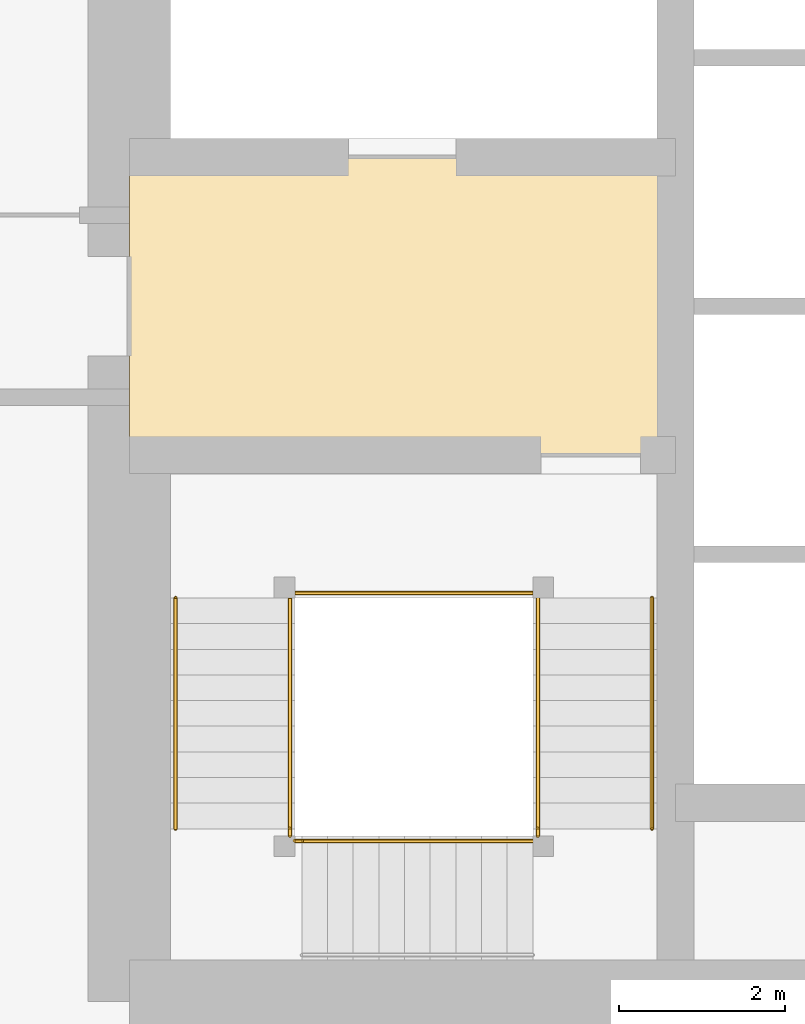
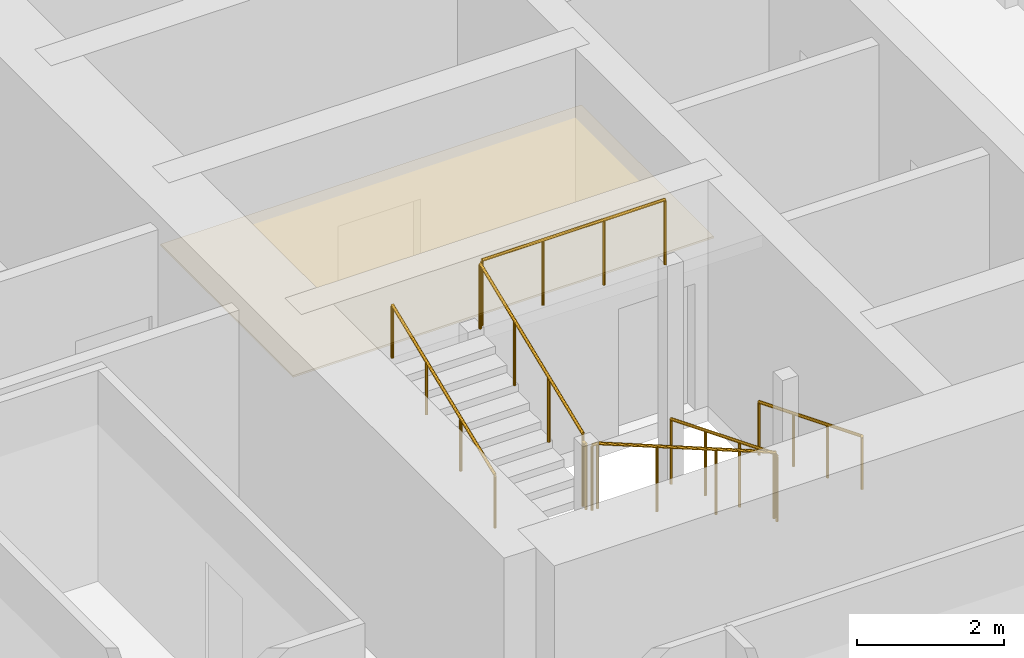
# One storey, part 31 of 39: 9 railings, 1 covering.
"""IFC4 building model written with IfcOpenShell, lengths in metres."""

import ifcopenshell
import ifcopenshell.guid

model = None  # the IFC model being written
_history = None  # IfcOwnerHistory: only IFC2X3 demands one
_inside = {}  # id of a spatial element -> (the spatial element, [elements in it])
_under = {}  # id of a project, library or spatial element -> (it, [spatial elements below it])
_declared = {}  # id of a project -> (the project, [libraries it declares])
_typed = {}  # id of a type object -> (the type object, [elements of that type])
_made_of = {}  # id of a material, layer set ... -> (it, [elements and type objects made of it])


def new_model(schema):
    """Start an empty IFC model of exactly this schema.

    Asked for "IFC4X3", IfcOpenShell would pick the latest addendum, in which some entities
    have other attributes; the version numbers below select the first issue.
    IFC2X3 requires an IfcOwnerHistory on every rooted entity: one is made here for all.
    """
    global model, _history
    if schema == "IFC4X3":
        model = ifcopenshell.file(schema_version=(4, 3, 0, 0))
    else:
        model = ifcopenshell.file(schema=schema)
    _inside.clear()
    _under.clear()
    _declared.clear()
    _typed.clear()
    _made_of.clear()
    _history = None
    if model.schema == "IFC2X3":
        org = make("IfcOrganization", Name="unknown")
        user = make(
            "IfcPersonAndOrganization",
            ThePerson=make("IfcPerson", FamilyName="unknown"),
            TheOrganization=org,
        )
        app = make(
            "IfcApplication",
            ApplicationDeveloper=org,
            Version="unknown",
            ApplicationFullName="unknown",
            ApplicationIdentifier="unknown",
        )
        _history = make(
            "IfcOwnerHistory",
            OwningUser=user,
            OwningApplication=app,
            ChangeAction="ADDED",
            CreationDate=0,
        )
    return model


def make(cls, **values):
    """One entity of the class cls with the attributes given. An attribute that is None is left unset."""
    return model.create_entity(
        cls, **{name: value for name, value in values.items() if value is not None}
    )


def rooted(cls, **values):
    """An entity with a GlobalId (a new one), such as an element, a storey or a relation."""
    return make(cls, GlobalId=ifcopenshell.guid.new(), OwnerHistory=_history, **values)


def si_unit(unit_type, name, prefix=None):
    """IfcSIUnit, for example si_unit("LENGTHUNIT", "METRE", prefix="MILLI")."""
    return make("IfcSIUnit", UnitType=unit_type, Prefix=prefix, Name=name)


def assignment(units):
    """IfcUnitAssignment: the units of a project."""
    return None if units is None else make("IfcUnitAssignment", Units=units)


def point(xyz):
    """IfcCartesianPoint."""
    return None if xyz is None else make("IfcCartesianPoint", Coordinates=xyz)


def direction(xyz):
    """IfcDirection."""
    return None if xyz is None else make("IfcDirection", DirectionRatios=xyz)


def frame(location, z_axis=None, x_axis=None):
    """IfcAxis2Placement3D, a coordinate frame: its origin and axes. An axis left out is left unset."""
    return make(
        "IfcAxis2Placement3D",
        Location=point(location),
        Axis=direction(z_axis),
        RefDirection=direction(x_axis),
    )


def frame_2d(location, x_axis=None):
    """IfcAxis2Placement2D, a coordinate frame in the plane: its origin and x axis."""
    return make(
        "IfcAxis2Placement2D", Location=point(location), RefDirection=direction(x_axis)
    )


def origin():
    """The frame at (0, 0, 0) with its axes left unset."""
    return frame((0.0, 0.0, 0.0))


def origin_2d():
    """The frame at (0, 0) in the plane with its x axis left unset."""
    return frame_2d((0.0, 0.0))


def place(relative_to, where):
    """IfcLocalPlacement: puts the frame where relative to a parent placement (None: the world)."""
    return make(
        "IfcLocalPlacement", PlacementRelTo=relative_to, RelativePlacement=where
    )


def context(
    kind, dimensions, precision=None, world=None, true_north=None, identifier=None
):
    """IfcGeometricRepresentationContext, for example the 3D "Model" context."""
    return make(
        "IfcGeometricRepresentationContext",
        ContextIdentifier=identifier,
        ContextType=kind,
        CoordinateSpaceDimension=dimensions,
        Precision=precision,
        WorldCoordinateSystem=world,
        TrueNorth=true_north,
    )


def subcontext(parent, identifier, kind, view, scale=None):
    """IfcGeometricRepresentationSubContext, for example "Body" below "Model"."""
    return make(
        "IfcGeometricRepresentationSubContext",
        ContextIdentifier=identifier,
        ContextType=kind,
        ParentContext=parent,
        TargetScale=scale,
        TargetView=view,
    )


def project(units=None, contexts=None):
    """IfcProject with its units and contexts."""
    return rooted(
        "IfcProject",
        Name="project",
        RepresentationContexts=contexts,
        UnitsInContext=assignment(units),
    )


def spatial(cls, under=None, at=None, **own):
    """A site, building, storey or space (cls), placed at a placement, below another one or the project."""
    s = rooted(cls, ObjectPlacement=at, **own)
    if under is not None:
        _under.setdefault(under.id(), (under, []))[1].append(s)
    return s


def polyline(points):
    """IfcPolyline through the points."""
    return make("IfcPolyline", Points=[point(p) for p in points])


def profile(cls, at=None, kind="AREA", **sizes):
    """A parametric profile (cls). Its sizes go by their IFC names, for example OverallWidth=200.0."""
    return make(cls, ProfileType=kind, Position=at, **sizes)


def circle(**sizes):
    """IfcCircleProfileDef."""
    return profile("IfcCircleProfileDef", **sizes)


def outline(outer, holes=None, kind="AREA"):
    """IfcArbitraryClosedProfileDef: a profile drawn as a closed curve; with holes, ...WithVoids."""
    if holes is None:
        return make("IfcArbitraryClosedProfileDef", ProfileType=kind, OuterCurve=outer)
    return make(
        "IfcArbitraryProfileDefWithVoids",
        ProfileType=kind,
        OuterCurve=outer,
        InnerCurves=holes,
    )


def extrude(swept, where, along, depth):
    """IfcExtrudedAreaSolid: the profile swept, set in the frame where, extruded along a direction by depth."""
    return make(
        "IfcExtrudedAreaSolid",
        SweptArea=swept,
        Position=where,
        ExtrudedDirection=direction(along),
        Depth=depth,
    )


def shape(context_of_items, identifier, shape_type, items):
    """IfcShapeRepresentation: the items that make up one representation, for example the "Body"."""
    return make(
        "IfcShapeRepresentation",
        ContextOfItems=context_of_items,
        RepresentationIdentifier=identifier,
        RepresentationType=shape_type,
        Items=items,
    )


def material(Name=None, Category=None):
    """IfcMaterial."""
    return make("IfcMaterial", Name=Name, Category=Category)


def layer(
    of_material, thickness, ventilated=None, Name=None, Category=None, Priority=None
):
    """IfcMaterialLayer: one layer of a wall or slab, of a material (None: an air gap)."""
    return make(
        "IfcMaterialLayer",
        Material=of_material,
        LayerThickness=thickness,
        IsVentilated=ventilated,
        Name=Name,
        Category=Category,
        Priority=Priority,
    )


def layer_set(layers, Name=None):
    """IfcMaterialLayerSet."""
    return make("IfcMaterialLayerSet", MaterialLayers=layers, LayerSetName=Name)


def made_of(thing, what):
    """Note that an element or type object is made of a material, layer set ...; save() writes the relation."""
    if what is not None:
        _made_of.setdefault(what.id(), (what, []))[1].append(thing)
    return thing


def type_object(cls, material=None, **own):
    """A type object (cls), such as IfcWallType, which elements share."""
    return made_of(rooted(cls, **own), material)


def element(
    cls,
    number,
    at=None,
    inside=None,
    cuts=None,
    type_object=None,
    material=None,
    context=None,
    identifier="Body",
    shape_type=None,
    held_by="IfcProductDefinitionShape",
    body=None,
    shapes=None,
    **own,
):
    """One element of the class cls, such as IfcWall. Its Tag is "e" and its number.

    at: its placement. inside: the storey or other place that contains it. cuts: it is an
    opening in that element (IfcRelVoidsElement). A single representation is given by context,
    identifier, shape_type and body (its items); several are given by shapes. held_by: the class
    of the entity that holds the representations. save() writes the other relations.
    """
    e = rooted(cls, Tag="e%d" % number, ObjectPlacement=at, **own)
    if body is not None:
        shapes = [shape(context, identifier, shape_type, body)]
    if shapes is not None:
        e.Representation = make(held_by, Representations=shapes)
    if inside is not None:
        _inside.setdefault(inside.id(), (inside, []))[1].append(e)
    if cuts is not None:
        rooted(
            "IfcRelVoidsElement", RelatingBuildingElement=cuts, RelatedOpeningElement=e
        )
    if type_object is not None:
        _typed.setdefault(type_object.id(), (type_object, []))[1].append(e)
    return made_of(e, material)


def aggregate(whole, parts):
    """IfcRelAggregates: a whole, such as a stair, and the parts it consists of."""
    return rooted("IfcRelAggregates", RelatingObject=whole, RelatedObjects=parts)


def save(model, path):
    """Write the relations noted so far, then the file.

    IfcRelAggregates (storeys below a building ...), IfcRelContainedInSpatialStructure (elements
    in a storey), IfcRelDefinesByType, IfcRelAssociatesMaterial and IfcRelDeclares: one each for
    every whole, place, type object, material and project.
    """
    for whole, parts in _under.values():
        aggregate(whole, parts)
    for where, things in _inside.values():
        rooted(
            "IfcRelContainedInSpatialStructure",
            RelatedElements=things,
            RelatingStructure=where,
        )
    for kind, things in _typed.values():
        rooted("IfcRelDefinesByType", RelatedObjects=things, RelatingType=kind)
    for what, things in _made_of.values():
        rooted("IfcRelAssociatesMaterial", RelatedObjects=things, RelatingMaterial=what)
    for by, libraries in _declared.values():
        rooted("IfcRelDeclares", RelatingContext=by, RelatedDefinitions=libraries)
    model.write(path)


model = new_model("IFC4")

# Units and contexts
model_context = context("Model", 3, precision=1e-05, world=origin(), true_north=direction((0.0, 1.0)))
body_context = subcontext(model_context, "Body", "Model", "MODEL_VIEW")
ifc_project = project(units=[si_unit("LENGTHUNIT", "METRE"), si_unit("AREAUNIT", "SQUARE_METRE"), si_unit("VOLUMEUNIT", "CUBIC_METRE"), si_unit("PLANEANGLEUNIT", "RADIAN"), si_unit("MASSUNIT", "GRAM", prefix="KILO")], contexts=[model_context])

# Site, building, storey
site_placement = place(None, origin())
site = spatial("IfcSite", under=ifc_project, at=site_placement, CompositionType="ELEMENT")
building_placement = place(site_placement, origin())
building = spatial("IfcBuilding", under=site, at=building_placement, Name="Rekha Terrace Tower", CompositionType="ELEMENT")
storey_placement = place(building_placement, frame((0.0, 0.0, 221.449951171875)))
storey = spatial("IfcBuildingStorey", under=building, at=storey_placement, Name="L56", CompositionType="ELEMENT", Elevation=221.449951171875)

# Covering
ifc_material_1 = material(Name="Powder-coated aluminium pan", Category="aluminium")
ifc_layer = layer(ifc_material_1, 0.030029296875)
ifc_layer_set = layer_set([ifc_layer], Name="Powder-coated aluminium pan")
covering_type = type_object("IfcCoveringType", Name="CL3 300x1200 metal pan ceiling", PredefinedType="CEILING", material=ifc_layer_set)
covering_placement = place(storey_placement, frame((0.0, 0.0, 2.570068359375)))
element("IfcCovering", 1, at=covering_placement, inside=storey, type_object=covering_type, Name="Ceiling L56-FLB1", PredefinedType="CEILING", context=body_context, shape_type="SweptSolid", body=[
    extrude(outline(polyline([(31.800048828125, 31.199951171875), (25.199951171875, 31.199951171875), (25.199951171875, 27.60009765625), (31.800048828125, 27.60009765625), (31.800048828125, 31.199951171875)])), origin(), (0.0, 0.0, 1.0), 0.030029296875),
])

# Railings
ifc_material_2 = material(Name="Stainless steel balustrade", Category="steel")
railing_type_1 = type_object("IfcRailingType", Name="GR1 1100 stair guard", PredefinedType="GUARDRAIL", material=ifc_material_2)
railing_1_placement = place(storey_placement, frame((30.135009765625, 25.875, 0.125)))
element("IfcRailing", 2, at=railing_1_placement, inside=storey, type_object=railing_type_1, Name="Guard ST1 L56 flight 1", PredefinedType="GUARDRAIL", context=body_context, shape_type="SweptSolid", body=[
    extrude(circle(Radius=0.02392578125, at=origin_2d()), frame((0.0, 0.0, 1.076171875), z_axis=(0.0, -0.927443287984, 0.373963831907), x_axis=(1.0, 0.0, 0.0)), (0.0, 0.0, 1.0), 3.00830078125),
    extrude(circle(Radius=0.02099609375, at=origin_2d()), origin(), (0.0, 0.0, 1.0), 1.052001953125),
    extrude(circle(Radius=0.02099609375, at=origin_2d()), frame((0.0, -0.929931640625, 0.375)), (0.0, 0.0, 1.0), 1.052001953125),
    extrude(circle(Radius=0.02099609375, at=origin_2d()), frame((0.0, -1.860107421875, 0.75)), (0.0, 0.0, 1.0), 1.052001953125),
    extrude(circle(Radius=0.02099609375, at=origin_2d()), frame((0.0, -2.7900390625, 1.125)), (0.0, 0.0, 1.0), 1.052001953125),
])
railing_2_placement = place(storey_placement, frame((30.074951171875, 22.93994140625, 1.375)))
element("IfcRailing", 3, at=railing_2_placement, inside=storey, type_object=railing_type_1, Name="Guard ST1 L56 flight 2", PredefinedType="GUARDRAIL", context=body_context, shape_type="SweptSolid", body=[
    extrude(circle(Radius=0.02392578125, at=origin_2d()), frame((0.0, 0.0, 1.076171875), z_axis=(-0.927443287984, 0.0, 0.373963831907), x_axis=(0.0, -1.0, 0.0)), (0.0, 0.0, 1.0), 3.00830078125),
    extrude(circle(Radius=0.02099609375, at=origin_2d()), origin(), (0.0, 0.0, 1.0), 1.052001953125),
    extrude(circle(Radius=0.02099609375, at=origin_2d()), frame((-0.929931640625, 0.0, 0.375)), (0.0, 0.0, 1.0), 1.052001953125),
    extrude(circle(Radius=0.02099609375, at=origin_2d()), frame((-1.860107421875, 0.0, 0.75)), (0.0, 0.0, 1.0), 1.052001953125),
    extrude(circle(Radius=0.02099609375, at=origin_2d()), frame((-2.7900390625, 0.0, 1.125)), (0.0, 0.0, 1.0), 1.052001953125),
])
railing_3_placement = place(storey_placement, frame((27.139892578125, 23.0849609375, 2.625)))
element("IfcRailing", 4, at=railing_3_placement, inside=storey, type_object=railing_type_1, Name="Guard ST1 L56 flight 3", PredefinedType="GUARDRAIL", context=body_context, shape_type="SweptSolid", body=[
    extrude(circle(Radius=0.02392578125, at=origin_2d()), frame((0.0, 0.0, 1.076171875), z_axis=(0.0, 0.927443287984, 0.373963831907), x_axis=(-1.0, 0.0, 0.0)), (0.0, 0.0, 1.0), 3.00830078125),
    extrude(circle(Radius=0.02099609375, at=origin_2d()), origin(), (0.0, 0.0, 1.0), 1.052001953125),
    extrude(circle(Radius=0.02099609375, at=origin_2d()), frame((0.0, 0.929931640625, 0.375)), (0.0, 0.0, 1.0), 1.052001953125),
    extrude(circle(Radius=0.02099609375, at=origin_2d()), frame((0.0, 1.860107421875, 0.75)), (0.0, 0.0, 1.0), 1.052001953125),
    extrude(circle(Radius=0.02099609375, at=origin_2d()), frame((0.0, 2.7900390625, 1.125)), (0.0, 0.0, 1.0), 1.052001953125),
])
railing_4_placement = place(storey_placement, frame((30.135009765625, 23.0849609375, 1.25)))
element("IfcRailing", 5, at=railing_4_placement, inside=storey, type_object=railing_type_1, Name="Guard ST1 L56 landing 1", PredefinedType="GUARDRAIL", context=body_context, shape_type="SweptSolid", body=[
    extrude(circle(Radius=0.02392578125, at=origin_2d()), frame((0.0, 0.0, 1.076171875), z_axis=(0.0, -1.0, 0.0), x_axis=(1.0, 0.0, 0.0)), (0.0, 0.0, 1.0), 0.0849609375),
    extrude(circle(Radius=0.02099609375, at=origin_2d()), origin(), (0.0, 0.0, 1.0), 1.052001953125),
    extrude(circle(Radius=0.02099609375, at=origin_2d()), frame((0.0, -0.0849609375, 0.0)), (0.0, 0.0, 1.0), 1.052001953125),
])
railing_5_placement = place(storey_placement, frame((27.284912109375, 22.93994140625, 2.5)))
element("IfcRailing", 6, at=railing_5_placement, inside=storey, type_object=railing_type_1, Name="Guard ST1 L56 landing 2", PredefinedType="GUARDRAIL", context=body_context, shape_type="SweptSolid", body=[
    extrude(circle(Radius=0.02392578125, at=origin_2d()), frame((0.0, 0.0, 1.076171875), z_axis=(-1.0, 0.0, 0.0), x_axis=(0.0, -1.0, 0.0)), (0.0, 0.0, 1.0), 0.0849609375),
    extrude(circle(Radius=0.02099609375, at=origin_2d()), origin(), (0.0, 0.0, 1.0), 1.052001953125),
    extrude(circle(Radius=0.02099609375, at=origin_2d()), frame((-0.0849609375, 0.0, 0.0)), (0.0, 0.0, 1.0), 1.052001953125),
])
railing_6_placement = place(storey_placement, frame((27.139892578125, 23.0849609375, 2.5)))
element("IfcRailing", 7, at=railing_6_placement, inside=storey, type_object=railing_type_1, Name="Guard ST1 L56 landing 3", PredefinedType="GUARDRAIL", context=body_context, shape_type="SweptSolid", body=[
    extrude(circle(Radius=0.02392578125, at=origin_2d()), frame((0.0, 0.0, 1.076171875), z_axis=(0.0, -1.0, 0.0), x_axis=(1.0, 0.0, 0.0)), (0.0, 0.0, 1.0), 0.0849609375),
    extrude(circle(Radius=0.02099609375, at=origin_2d()), origin(), (0.0, 0.0, 1.0), 1.052001953125),
    extrude(circle(Radius=0.02099609375, at=origin_2d()), frame((0.0, -0.0849609375, 0.0)), (0.0, 0.0, 1.0), 1.052001953125),
])
railing_7_placement = place(storey_placement, frame((30.074951171875, 25.93505859375, 3.75)))
element("IfcRailing", 8, at=railing_7_placement, inside=storey, type_object=railing_type_1, Name="Guard ST1 L56 landing 4", PredefinedType="GUARDRAIL", context=body_context, shape_type="SweptSolid", body=[
    extrude(circle(Radius=0.02392578125, at=origin_2d()), frame((0.0, 0.0, 1.076171875), z_axis=(-1.0, 0.0, 0.0), x_axis=(0.0, -1.0, 0.0)), (0.0, 0.0, 1.0), 2.875),
    extrude(circle(Radius=0.02099609375, at=origin_2d()), origin(), (0.0, 0.0, 1.0), 1.052001953125),
    extrude(circle(Radius=0.02099609375, at=origin_2d()), frame((-0.958251953125, 0.0, 0.0)), (0.0, 0.0, 1.0), 1.052001953125),
    extrude(circle(Radius=0.02099609375, at=origin_2d()), frame((-1.916748046875, 0.0, 0.0)), (0.0, 0.0, 1.0), 1.052001953125),
    extrude(circle(Radius=0.02099609375, at=origin_2d()), frame((-2.875, 0.0, 0.0)), (0.0, 0.0, 1.0), 1.052001953125),
])
ifc_material_3 = material(Name="Stainless steel tube", Category="steel")
railing_type_2 = type_object("IfcRailingType", Name="HR1 900 stair handrail", PredefinedType="HANDRAIL", material=ifc_material_3)
railing_8_placement = place(storey_placement, frame((31.514892578125, 25.875, 0.125)))
element("IfcRailing", 9, at=railing_8_placement, inside=storey, type_object=railing_type_2, Name="Handrail ST1 L56 flight 1", PredefinedType="HANDRAIL", context=body_context, shape_type="SweptSolid", body=[
    extrude(circle(Radius=0.02392578125, at=origin_2d()), frame((0.0, 0.0, 0.8759765625), z_axis=(0.0, -0.927443287984, 0.373963831907), x_axis=(1.0, 0.0, 0.0)), (0.0, 0.0, 1.0), 3.00830078125),
    extrude(circle(Radius=0.02099609375, at=origin_2d()), origin(), (0.0, 0.0, 1.0), 0.851806640625),
    extrude(circle(Radius=0.02099609375, at=origin_2d()), frame((0.0, -0.929931640625, 0.375)), (0.0, 0.0, 1.0), 0.851806640625),
    extrude(circle(Radius=0.02099609375, at=origin_2d()), frame((0.0, -1.860107421875, 0.75)), (0.0, 0.0, 1.0), 0.851806640625),
    extrude(circle(Radius=0.02099609375, at=origin_2d()), frame((0.0, -2.7900390625, 1.125)), (0.0, 0.0, 1.0), 0.851806640625),
])
railing_9_placement = place(storey_placement, frame((25.760009765625, 23.0849609375, 2.625)))
element("IfcRailing", 10, at=railing_9_placement, inside=storey, type_object=railing_type_2, Name="Handrail ST1 L56 flight 3", PredefinedType="HANDRAIL", context=body_context, shape_type="SweptSolid", body=[
    extrude(circle(Radius=0.02392578125, at=origin_2d()), frame((0.0, 0.0, 0.8759765625), z_axis=(0.0, 0.927443287984, 0.373963831907), x_axis=(-1.0, 0.0, 0.0)), (0.0, 0.0, 1.0), 3.00830078125),
    extrude(circle(Radius=0.02099609375, at=origin_2d()), origin(), (0.0, 0.0, 1.0), 0.851806640625),
    extrude(circle(Radius=0.02099609375, at=origin_2d()), frame((0.0, 0.929931640625, 0.375)), (0.0, 0.0, 1.0), 0.851806640625),
    extrude(circle(Radius=0.02099609375, at=origin_2d()), frame((0.0, 1.860107421875, 0.75)), (0.0, 0.0, 1.0), 0.851806640625),
    extrude(circle(Radius=0.02099609375, at=origin_2d()), frame((0.0, 2.7900390625, 1.125)), (0.0, 0.0, 1.0), 0.851806640625),
])

save(model, "model.ifc")
